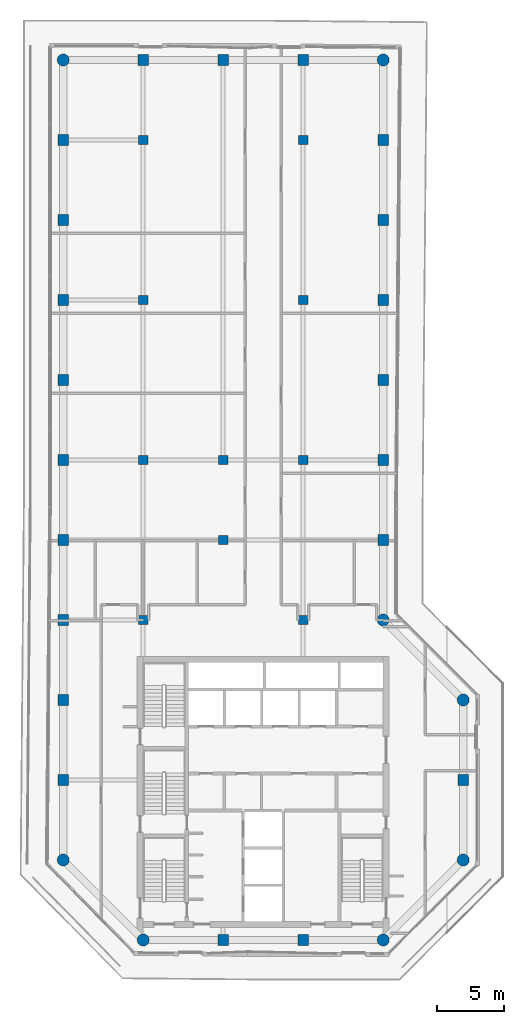
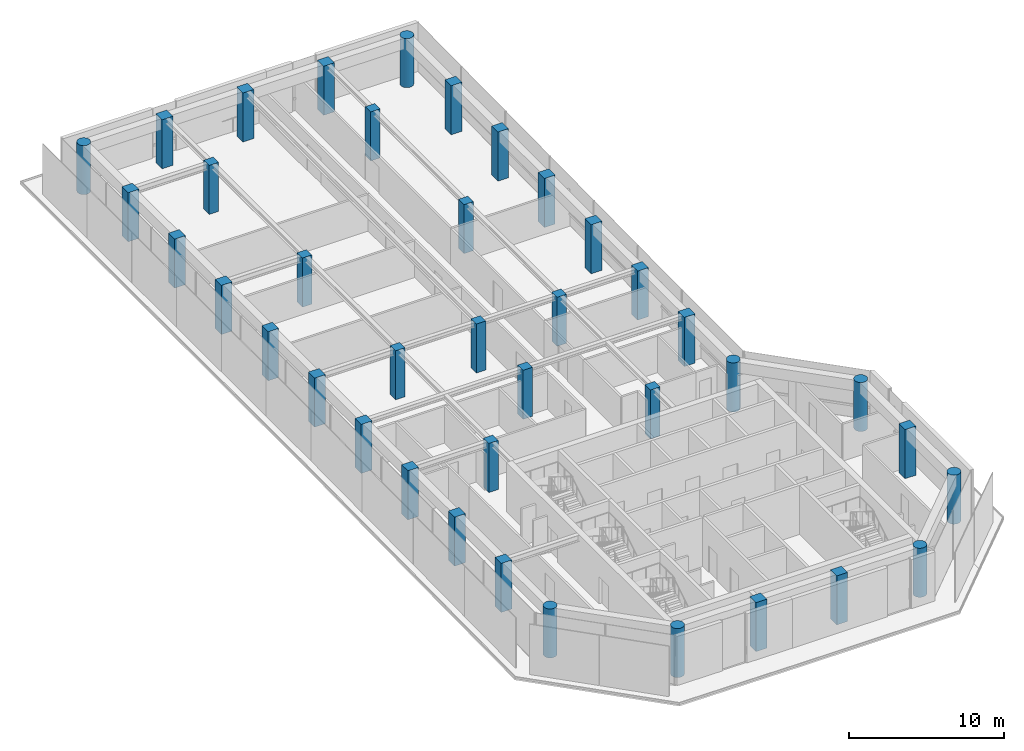
# One storey, part 1 of 19: 39 columns.
"""IFC4 building model written with IfcOpenShell, lengths in metres."""

from ifc_helpers import new_model, si_unit, direction, frame, origin, origin_2d, place, context, subcontext, project, spatial, rectangle, circle, extrude, material, material_profile, profile_set, type_object, element, save


model = new_model("IFC4")

# Units and contexts
model_context = context("Model", 3, precision=1e-05, world=origin(), true_north=direction((0.0, 1.0)))
body_context = subcontext(model_context, "Body", "Model", "MODEL_VIEW")
ifc_project = project(units=[si_unit("LENGTHUNIT", "METRE"), si_unit("AREAUNIT", "SQUARE_METRE"), si_unit("VOLUMEUNIT", "CUBIC_METRE"), si_unit("PLANEANGLEUNIT", "RADIAN"), si_unit("MASSUNIT", "GRAM", prefix="KILO")], contexts=[model_context])

# Site, building, storey
site_placement = place(None, origin())
site = spatial("IfcSite", under=ifc_project, at=site_placement, CompositionType="ELEMENT")
building_placement = place(site_placement, origin())
building = spatial("IfcBuilding", under=site, at=building_placement, Name="Welwitschia Terrace Campus", CompositionType="ELEMENT")
storey_placement = place(building_placement, frame((0.0, 0.0, 230.60009765625)))
storey = spatial("IfcBuildingStorey", under=building, at=storey_placement, Name="L51", CompositionType="ELEMENT", Elevation=230.60009765625)

# Columns
ifc_material_1 = material(Name="Concrete C50/60", Category="concrete")
ifc_material_profile_1 = material_profile(ifc_material_1, circle(Radius=0.449951171875, at=origin_2d()))
ifc_profile_set_1 = profile_set([ifc_material_profile_1], Name="Concrete C50/60")
column_type_1 = type_object("IfcColumnType", Name="Corner column 900 dia", PredefinedType="COLUMN", material=ifc_profile_set_1)
for number, where, z_axis, x_axis, name in (
    (1, (0.0, 10.0, 0.0), (0.0, 0.0, 1.0), (1.0, 0.0, 0.0), "Column C32"),
    (2, (0.0, 70.0, 0.0), (0.0, 0.0, 1.0), (1.0, 0.0, 0.0), "Column C32"),
    (3, (6.0, 4.0, 0.0), (0.0, 0.0, 1.0), (1.0, 0.0, 0.0), "Column C32"),
    (4, (24.0, 4.0, 0.0), (0.0, 0.0, 1.0), (1.0, 0.0, 0.0), "Column C32"),
    (5, (24.0, 28.0, 0.0), (0.0, 0.0, 1.0), (1.0, 0.0, 0.0), "Column C32"),
    (6, (24.0, 70.0, 0.0), (0.0, 0.0, 1.0), (1.0, 0.0, 0.0), "Column C32"),
    (7, (30.0, 10.0, 0.0), (0.0, 0.0, 1.0), (1.0, 0.0, 0.0), "Column C32"),
    (8, (30.0, 22.0, 0.0), (0.0, 0.0, 1.0), (1.0, 0.0, 0.0), "Column C32"),
):
    element("IfcColumn", number, at=place(storey_placement, frame(where, z_axis=z_axis, x_axis=x_axis)), inside=storey, type_object=column_type_1, Name=name, PredefinedType="COLUMN", context=body_context, shape_type="SweptSolid", body=[
        extrude(circle(Radius=0.449951171875, at=origin_2d()), origin(), (0.0, 0.0, 1.0), 3.849853515625),
    ])
ifc_material_2 = material(Name="Concrete C50/60", Category="concrete")
ifc_material_profile_2 = material_profile(ifc_material_2, rectangle(XDim=0.699951171875, YDim=0.699951171875, at=origin_2d()))
ifc_profile_set_2 = profile_set([ifc_material_profile_2], Name="Concrete C50/60")
column_type_2 = type_object("IfcColumnType", Name="Interior column 700x700", PredefinedType="COLUMN", material=ifc_profile_set_2)
for number, where, z_axis, x_axis, name in (
    (9, (6.0, 28.0, 0.0), (0.0, 0.0, 1.0), (1.0, 0.0, 0.0), "Column C34"),
    (10, (6.0, 40.0, 0.0), (0.0, 0.0, 1.0), (1.0, 0.0, 0.0), "Column C34"),
    (11, (6.0, 52.0, 0.0), (0.0, 0.0, 1.0), (1.0, 0.0, 0.0), "Column C34"),
    (12, (6.0, 64.0, 0.0), (0.0, 0.0, 1.0), (1.0, 0.0, 0.0), "Column C34"),
    (13, (12.0, 34.0, 0.0), (0.0, 0.0, 1.0), (1.0, 0.0, 0.0), "Column C34"),
    (14, (12.0, 40.0, 0.0), (0.0, 0.0, 1.0), (1.0, 0.0, 0.0), "Column C34"),
    (15, (18.0, 28.0, 0.0), (0.0, 0.0, 1.0), (1.0, 0.0, 0.0), "Column C34"),
    (16, (18.0, 40.0, 0.0), (0.0, 0.0, 1.0), (1.0, 0.0, 0.0), "Column C34"),
    (17, (18.0, 52.0, 0.0), (0.0, 0.0, 1.0), (1.0, 0.0, 0.0), "Column C34"),
    (18, (18.0, 64.0, 0.0), (0.0, 0.0, 1.0), (1.0, 0.0, 0.0), "Column C34"),
):
    element("IfcColumn", number, at=place(storey_placement, frame(where, z_axis=z_axis, x_axis=x_axis)), inside=storey, type_object=column_type_2, Name=name, PredefinedType="COLUMN", context=body_context, shape_type="SweptSolid", body=[
        extrude(rectangle(XDim=0.699951171875, YDim=0.699951171875, at=origin_2d()), origin(), (0.0, 0.0, 1.0), 3.849853515625),
    ])
ifc_material_3 = material(Name="Concrete C50/60", Category="concrete")
ifc_material_profile_3 = material_profile(ifc_material_3, rectangle(XDim=0.800048828125, YDim=0.800048828125, at=origin_2d()))
ifc_profile_set_3 = profile_set([ifc_material_profile_3], Name="Concrete C50/60")
column_type_3 = type_object("IfcColumnType", Name="Ring column 800x800", PredefinedType="COLUMN", material=ifc_profile_set_3)
for number, where, z_axis, x_axis, name in (
    (19, (0.0, 16.0, 0.0), (0.0, 0.0, 1.0), (1.0, 0.0, 0.0), "Column C33"),
    (20, (0.0, 22.0, 0.0), (0.0, 0.0, 1.0), (1.0, 0.0, 0.0), "Column C33"),
    (21, (0.0, 28.0, 0.0), (0.0, 0.0, 1.0), (1.0, 0.0, 0.0), "Column C33"),
    (22, (0.0, 34.0, 0.0), (0.0, 0.0, 1.0), (1.0, 0.0, 0.0), "Column C33"),
    (23, (0.0, 40.0, 0.0), (0.0, 0.0, 1.0), (1.0, 0.0, 0.0), "Column C33"),
    (24, (0.0, 46.0, 0.0), (0.0, 0.0, 1.0), (1.0, 0.0, 0.0), "Column C33"),
    (25, (0.0, 52.0, 0.0), (0.0, 0.0, 1.0), (1.0, 0.0, 0.0), "Column C33"),
    (26, (0.0, 58.0, 0.0), (0.0, 0.0, 1.0), (1.0, 0.0, 0.0), "Column C33"),
    (27, (0.0, 64.0, 0.0), (0.0, 0.0, 1.0), (1.0, 0.0, 0.0), "Column C33"),
    (28, (6.0, 70.0, 0.0), (0.0, 0.0, 1.0), (1.0, 0.0, 0.0), "Column C33"),
    (29, (12.0, 4.0, 0.0), (0.0, 0.0, 1.0), (1.0, 0.0, 0.0), "Column C33"),
    (30, (12.0, 70.0, 0.0), (0.0, 0.0, 1.0), (1.0, 0.0, 0.0), "Column C33"),
    (31, (18.0, 4.0, 0.0), (0.0, 0.0, 1.0), (1.0, 0.0, 0.0), "Column C33"),
    (32, (18.0, 70.0, 0.0), (0.0, 0.0, 1.0), (1.0, 0.0, 0.0), "Column C33"),
    (33, (24.0, 34.0, 0.0), (0.0, 0.0, 1.0), (1.0, 0.0, 0.0), "Column C33"),
    (34, (24.0, 40.0, 0.0), (0.0, 0.0, 1.0), (1.0, 0.0, 0.0), "Column C33"),
    (35, (24.0, 46.0, 0.0), (0.0, 0.0, 1.0), (1.0, 0.0, 0.0), "Column C33"),
    (36, (24.0, 52.0, 0.0), (0.0, 0.0, 1.0), (1.0, 0.0, 0.0), "Column C33"),
    (37, (24.0, 58.0, 0.0), (0.0, 0.0, 1.0), (1.0, 0.0, 0.0), "Column C33"),
    (38, (24.0, 64.0, 0.0), (0.0, 0.0, 1.0), (1.0, 0.0, 0.0), "Column C33"),
    (39, (30.0, 16.0, 0.0), (0.0, 0.0, 1.0), (1.0, 0.0, 0.0), "Column C33"),
):
    element("IfcColumn", number, at=place(storey_placement, frame(where, z_axis=z_axis, x_axis=x_axis)), inside=storey, type_object=column_type_3, Name=name, PredefinedType="COLUMN", context=body_context, shape_type="SweptSolid", body=[
        extrude(rectangle(XDim=0.800048828125, YDim=0.800048828125, at=origin_2d()), origin(), (0.0, 0.0, 1.0), 3.849853515625),
    ])

save(model, "model.ifc")
